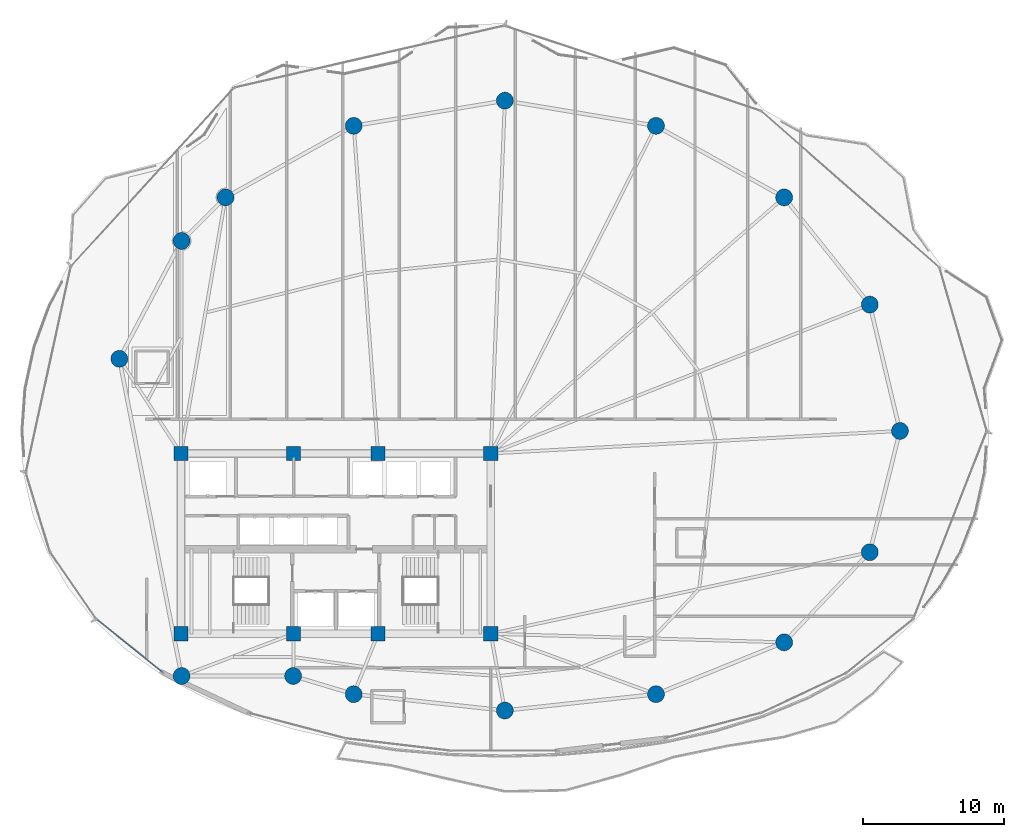
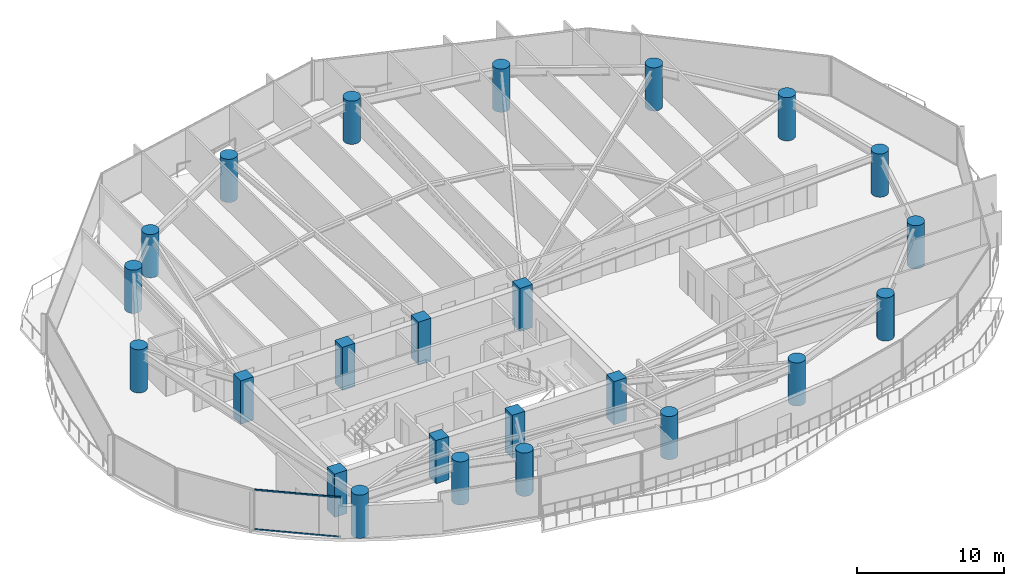
# One storey, part 1 of 34: 24 columns, 2 members, 1 element without a shape of its own.
"""IFC4 building model written with IfcOpenShell, lengths in metres."""

from ifc_helpers import new_model, si_unit, direction, frame, origin, origin_2d, place, context, subcontext, project, spatial, rectangle, hollow_rectangle, circle, extrude, material, layer, layer_set, material_profile, profile_set, type_object, element, aggregate, save


model = new_model("IFC4")

# Units and contexts
model_context = context("Model", 3, precision=1e-05, world=origin(), true_north=direction((0.0, 1.0)))
body_context = subcontext(model_context, "Body", "Model", "MODEL_VIEW")
ifc_project = project(units=[si_unit("LENGTHUNIT", "METRE"), si_unit("AREAUNIT", "SQUARE_METRE"), si_unit("VOLUMEUNIT", "CUBIC_METRE"), si_unit("PLANEANGLEUNIT", "RADIAN"), si_unit("MASSUNIT", "GRAM", prefix="KILO")], contexts=[model_context])

# Site, building, storey
site_placement = place(None, origin())
site = spatial("IfcSite", under=ifc_project, at=site_placement, CompositionType="ELEMENT")
building_placement = place(site_placement, origin())
building = spatial("IfcBuilding", under=site, at=building_placement, Name="Kazevale Care Tower and Concert Hall", CompositionType="ELEMENT")
storey_placement = place(building_placement, frame((0.0, 0.0, 160.199951171875)))
storey = spatial("IfcBuildingStorey", under=building, at=storey_placement, Name="L42", CompositionType="ELEMENT", Elevation=160.199951171875)

# Columns
ifc_material_1 = material(Name="Concrete C60", Category="concrete")
ifc_material_profile_1 = material_profile(ifc_material_1, rectangle(XDim=1.0, YDim=1.0, at=origin_2d()), Name="RC-SQ1000")
ifc_profile_set_1 = profile_set([ifc_material_profile_1], Name="Concrete C60")
column_type_1 = type_object("IfcColumnType", Name="Core Column SQ1000 C60", PredefinedType="COLUMN", material=ifc_profile_set_1)
for number, where, z_axis, x_axis, name in (
    (1, (22.0, 23.60009765625, 0.0), (0.0, 0.0, 1.0), (1.0, 0.0, 0.0), "col:L42:CC-01"),
    (2, (30.0, 23.60009765625, 0.0), (0.0, 0.0, 1.0), (1.0, 0.0, 0.0), "col:L42:CC-02"),
    (3, (36.0, 23.60009765625, 0.0), (0.0, 0.0, 1.0), (1.0, 0.0, 0.0), "col:L42:CC-03"),
    (4, (44.0, 23.60009765625, 0.0), (0.0, 0.0, 1.0), (1.0, 0.0, 0.0), "col:L42:CC-04"),
    (5, (44.0, 36.39990234375, 0.0), (0.0, 0.0, 1.0), (1.0, 0.0, 0.0), "col:L42:CC-05"),
    (6, (36.0, 36.39990234375, 0.0), (0.0, 0.0, 1.0), (1.0, 0.0, 0.0), "col:L42:CC-06"),
    (7, (30.0, 36.39990234375, 0.0), (0.0, 0.0, 1.0), (1.0, 0.0, 0.0), "col:L42:CC-07"),
    (8, (22.0, 36.39990234375, 0.0), (0.0, 0.0, 1.0), (1.0, 0.0, 0.0), "col:L42:CC-08"),
):
    element("IfcColumn", number, at=place(storey_placement, frame(where, z_axis=z_axis, x_axis=x_axis)), inside=storey, type_object=column_type_1, Name=name, PredefinedType="COLUMN", context=body_context, shape_type="SweptSolid", body=[
        extrude(rectangle(XDim=1.0, YDim=1.0, at=origin_2d()), origin(), (0.0, 0.0, 1.0), 3.60009765625),
    ])
ifc_material_profile_2 = material_profile(ifc_material_1, circle(Radius=0.60009765625, at=origin_2d()), Name="RC-CIR1200")
ifc_profile_set_2 = profile_set([ifc_material_profile_2], Name="Concrete C60")
column_type_2 = type_object("IfcColumnType", Name="Perimeter Column CIR1200 C60", PredefinedType="COLUMN", material=ifc_profile_set_2)
for number, where, z_axis, x_axis, name in (
    (9, (73.050048828125, 38.0, 0.0), (0.0, 0.0, 1.0), (1.0, 0.0, 0.0), "col:L42:PC-01"),
    (10, (70.909912109375, 46.969970703125, 0.0), (0.0, 0.0, 1.0), (1.0, 0.0, 0.0), "col:L42:PC-02"),
    (11, (64.830078125, 54.580078125, 0.0), (0.0, 0.0, 1.0), (1.0, 0.0, 0.0), "col:L42:PC-03"),
    (12, (55.72998046875, 59.659912109375, 0.0), (0.0, 0.0, 1.0), (1.0, 0.0, 0.0), "col:L42:PC-04"),
    (13, (45.0, 61.449951171875, 0.0), (0.0, 0.0, 1.0), (1.0, 0.0, 0.0), "col:L42:PC-05"),
    (14, (34.27001953125, 59.659912109375, 0.0), (0.0, 0.0, 1.0), (1.0, 0.0, 0.0), "col:L42:PC-06"),
    (15, (25.169921875, 54.580078125, 0.0), (0.0, 0.0, 1.0), (1.0, 0.0, 0.0), "col:L42:PC-07"),
    (16, (22.050048828125, 51.489990234375, 0.0), (0.0, 0.0, 1.0), (1.0, 0.0, 0.0), "col:L42:PC-08"),
    (17, (17.6298828125, 43.1201171875, 0.0), (0.0, 0.0, 1.0), (1.0, 0.0, 0.0), "col:L42:PC-09"),
    (18, (22.050048828125, 20.60009765625, 0.0), (0.0, 0.0, 1.0), (1.0, 0.0, 0.0), "col:L42:PC-10"),
    (19, (29.969970703125, 20.60009765625, 0.0), (0.0, 0.0, 1.0), (1.0, 0.0, 0.0), "col:L42:PC-11"),
    (20, (34.27001953125, 19.31005859375, 0.0), (0.0, 0.0, 1.0), (1.0, 0.0, 0.0), "col:L42:PC-12"),
    (21, (45.0, 18.14990234375, 0.0), (0.0, 0.0, 1.0), (1.0, 0.0, 0.0), "col:L42:PC-13"),
    (22, (55.72998046875, 19.31005859375, 0.0), (0.0, 0.0, 1.0), (1.0, 0.0, 0.0), "col:L42:PC-14"),
    (23, (64.830078125, 22.989990234375, 0.0), (0.0, 0.0, 1.0), (1.0, 0.0, 0.0), "col:L42:PC-15"),
    (24, (70.909912109375, 29.389892578125, 0.0), (0.0, 0.0, 1.0), (1.0, 0.0, 0.0), "col:L42:PC-16"),
):
    element("IfcColumn", number, at=place(storey_placement, frame(where, z_axis=z_axis, x_axis=x_axis)), inside=storey, type_object=column_type_2, Name=name, PredefinedType="COLUMN", context=body_context, shape_type="SweptSolid", body=[
        extrude(circle(Radius=0.60009765625, at=origin_2d()), origin(), (0.0, 0.0, 1.0), 3.60009765625),
    ])

# Curtain wall, members
ifc_material_2 = material(Name="Aluminium 6063-T6 and Low-E Glass", Category="aluminium")
ifc_layer = layer(ifc_material_2, 0.179931640625)
ifc_layer_set = layer_set([ifc_layer], Name="Aluminium 6063-T6 and Low-E Glass")
curtain_wall_type = type_object("IfcCurtainWallType", Name="Sheltered Concave Balcony Curtain Wall CW-5", PredefinedType="NOTDEFINED", material=ifc_layer_set)
curtain_wall_placement = place(storey_placement, origin())
curtain_wall = element("IfcCurtainWall", 25, at=curtain_wall_placement, inside=storey, type_object=curtain_wall_type, Name="cw:L42:f10", PredefinedType="NOTDEFINED")
ifc_material_3 = material(Name="Aluminium 6063-T6", Category="aluminium")
ifc_material_profile_3 = material_profile(ifc_material_3, hollow_rectangle(XDim=0.074951171875, YDim=0.1201171875, WallThickness=0.00390625, at=origin_2d()), Name="ALU75x120x4")
ifc_profile_set_3 = profile_set([ifc_material_profile_3], Name="Aluminium 6063-T6")
member_type = type_object("IfcMemberType", Name="CW-5 Transom ALU75x120x4", PredefinedType="USERDEFINED", material=ifc_profile_set_3)
member_1_placement = place(storey_placement, frame((20.711669921875, 20.85009765625, 0.03759765625), z_axis=(-0.779097461373, 0.626902819966, 0.0), x_axis=(-0.626902819966, -0.779097461373, 0.0)))
member_1 = element("IfcMember", 26, at=member_1_placement, type_object=member_type, Name="CW-5 transom 1.1", ObjectType="TRANSOM", PredefinedType="USERDEFINED", context=body_context, shape_type="SweptSolid", body=[
    extrude(hollow_rectangle(XDim=0.074951171875, YDim=0.1201171875, WallThickness=0.00390625, at=origin_2d()), origin(), (0.0, 0.0, 1.0), 5.96728515625),
])
member_2_placement = place(storey_placement, frame((20.711669921875, 20.85009765625, 3.322509765625), z_axis=(-0.779097461373, 0.626902819966, 0.0), x_axis=(-0.626902819966, -0.779097461373, 0.0)))
member_2 = element("IfcMember", 27, at=member_2_placement, type_object=member_type, Name="CW-5 transom 1.2", ObjectType="TRANSOM", PredefinedType="USERDEFINED", context=body_context, shape_type="SweptSolid", body=[
    extrude(hollow_rectangle(XDim=0.074951171875, YDim=0.1201171875, WallThickness=0.00390625, at=origin_2d()), origin(), (0.0, 0.0, 1.0), 5.96728515625),
])
aggregate(curtain_wall, [member_1, member_2])

save(model, "model.ifc")
